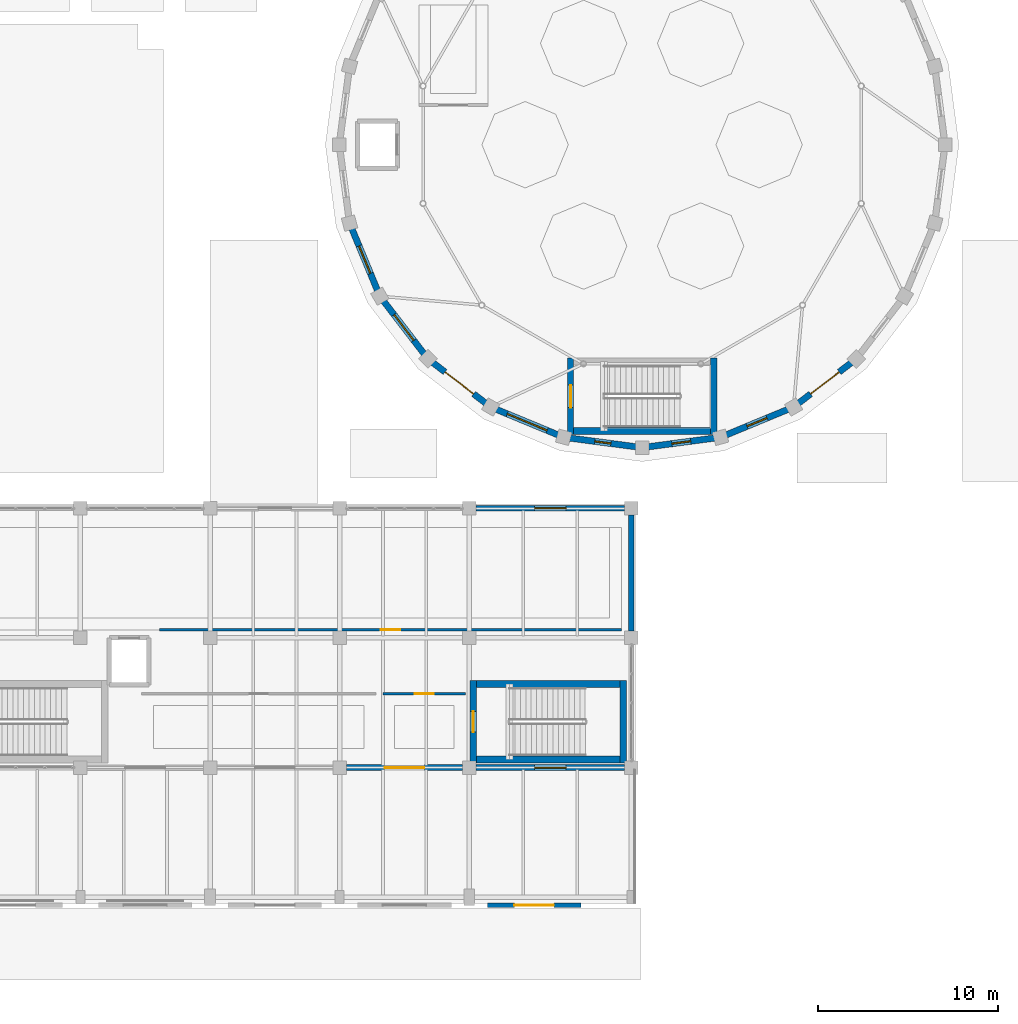
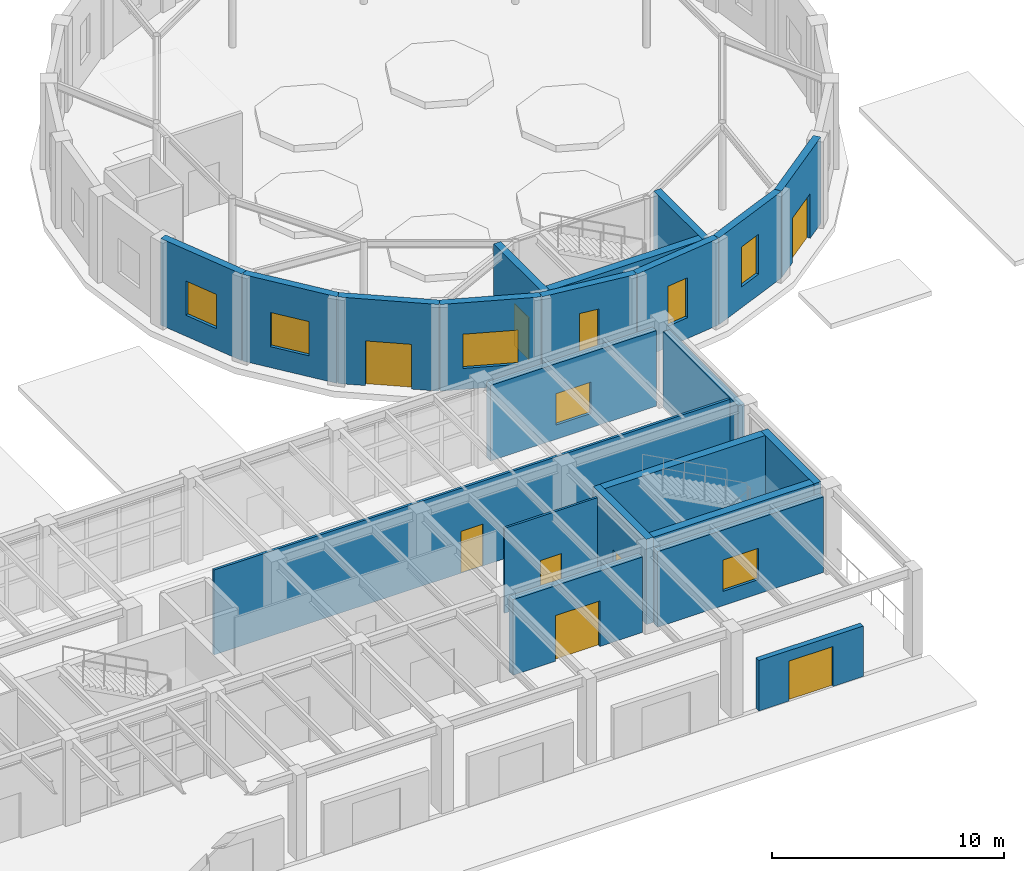
# One storey, part 27 of 39: 22 walls, 8 doors, 8 windows, 16 openings.
"""IFC4 building model written with IfcOpenShell, lengths in metres."""

from ifc_helpers import new_model, si_unit, direction, frame, frame_2d, origin, place, context, subcontext, project, spatial, rectangle, extrude, material, layer, layer_set, type_object, element, fill, save


model = new_model("IFC4")

# Units and contexts
model_context = context("Model", 3, precision=1e-05, world=origin(), true_north=direction((0.0, 1.0)))
body_context = subcontext(model_context, "Body", "Model", "MODEL_VIEW")
ifc_project = project(units=[si_unit("LENGTHUNIT", "METRE"), si_unit("AREAUNIT", "SQUARE_METRE"), si_unit("VOLUMEUNIT", "CUBIC_METRE"), si_unit("PLANEANGLEUNIT", "RADIAN"), si_unit("MASSUNIT", "GRAM", prefix="KILO")], contexts=[model_context])

# Site, building, storey
site_placement = place(None, origin())
site = spatial("IfcSite", under=ifc_project, at=site_placement, CompositionType="ELEMENT")
building_placement = place(site_placement, origin())
building = spatial("IfcBuilding", under=site, at=building_placement, Name="Kandorven Conservatory and Botanical Research Centre", CompositionType="ELEMENT")
storey_placement = place(building_placement, origin())
storey = spatial("IfcBuildingStorey", under=building, at=storey_placement, Name="L00", CompositionType="ELEMENT", Elevation=0.0)

# Walls
ifc_material_1 = material(Name="Concrete C40/50 (M50)", Category="concrete")
ifc_layer_1 = layer(ifc_material_1, 0.39990234375)
ifc_layer_set_1 = layer_set([ifc_layer_1], Name="Concrete C40/50 (M50)")
wall_type_1 = type_object("IfcWallType", Name="Wall_CW-RC-1", PredefinedType="SHEAR", material=ifc_layer_set_1)
for number, where, z_axis, x_axis, name in (
    (1, (78.39990234375, 13.64501953125, 0.0), (0.0, 0.0, 1.0), (1.0, 0.0, 0.0), "Core stair shear wall CW-RC-1 ST-V3B L00 side A"),
    (2, (78.39990234375, 17.844970703125, 0.0), (0.0, 0.0, 1.0), (1.0, 0.0, 0.0), "Core stair shear wall CW-RC-1 ST-V3B L00 side B"),
):
    element("IfcWall", number, at=place(storey_placement, frame(where, z_axis=z_axis, x_axis=x_axis)), inside=storey, type_object=wall_type_1, Name=name, PredefinedType="SHEAR", context=body_context, shape_type="SweptSolid", body=[
        extrude(rectangle(XDim=7.97998046875, YDim=0.39990234375, at=frame_2d((3.989990234375, 0.0))), origin(), (0.0, 0.0, 1.0), 4.47998046875),
    ])
wall_1_placement = place(storey_placement, frame((83.800048828125, 31.89501953125, 0.0), z_axis=(0.0, 0.0, 1.0), x_axis=(1.0, 0.0, 0.0)))
element("IfcWall", 3, at=wall_1_placement, inside=storey, type_object=wall_type_1, Name="Core stair shear wall CW-RC-1 ST-V1 L00 side A", PredefinedType="SHEAR", context=body_context, shape_type="SweptSolid", body=[
    extrude(rectangle(XDim=7.599853515625, YDim=0.39990234375, at=frame_2d((3.7998046875, 0.0))), origin(), (0.0, 0.0, 1.0), 4.47998046875),
])

# Wall, opening, door
ifc_material_2 = material(Name="Concrete C40/50 (M50)", Category="concrete")
ifc_layer_2 = layer(ifc_material_2, 0.35009765625)
ifc_layer_set_2 = layer_set([ifc_layer_2], Name="Concrete C40/50 (M50)")
wall_type_2 = type_object("IfcWallType", Name="Wall_CW-RC-2", PredefinedType="SHEAR", material=ifc_layer_set_2)
wall_2_placement = place(storey_placement, frame((78.22509765625, 13.449951171875, 0.0), z_axis=(0.0, 0.0, 1.0), x_axis=(0.0, 1.0, 0.0)))
wall_2 = element("IfcWall", 4, at=wall_2_placement, inside=storey, type_object=wall_type_2, Name="Core stair shear wall CW-RC-2 ST-V3B L00 entry", PredefinedType="SHEAR", context=body_context, shape_type="SweptSolid", body=[
    extrude(rectangle(XDim=4.590087890625, YDim=0.35009765625, at=frame_2d((2.294921875, 0.0))), origin(), (0.0, 0.0, 1.0), 4.47998046875),
])
opening_1_placement = place(wall_2_placement, frame((1.719970703125, 0.0, 0.0)))
opening_1 = element("IfcOpeningElement", 5, at=opening_1_placement, cuts=wall_2, Name="Opening FD-2", PredefinedType="OPENING", context=body_context, shape_type="SweptSolid", body=[
    extrude(rectangle(XDim=1.14990234375, YDim=2.199951171875, at=frame_2d((0.574951171875, 1.10009765625))), frame((0.0, 0.18505859375, 0.0), z_axis=(0.0, -1.0, 0.0), x_axis=(1.0, 0.0, 0.0)), (0.0, 0.0, 1.0), 0.3701171875),
])
ifc_material_3 = material(Name="Galvanised hollow steel fire door assembly", Category="steel")
door_type_1 = type_object("IfcDoorType", Name="Door_FD-2", OperationType="NOTDEFINED", PredefinedType="DOOR", material=ifc_material_3)
door_1_placement = place(opening_1_placement, origin())
door_1 = element("IfcDoor", 6, at=door_1_placement, inside=storey, type_object=door_type_1, Name="Exit stair fire door FD-2 ST-V3B L00", OperationType="SINGLE_SWING_LEFT", OverallHeight=2.199951171875, OverallWidth=1.14990234375, PredefinedType="DOOR", context=body_context, shape_type="SweptSolid", body=[
    extrude(rectangle(XDim=1.14990234375, YDim=2.199951171875, at=frame_2d((0.574951171875, 1.10009765625))), frame((0.0, 0.02490234375, 0.0), z_axis=(0.0, -1.0, 0.0), x_axis=(1.0, 0.0, 0.0)), (0.0, 0.0, 1.0), 0.050048828125),
])
fill(opening_1, door_1)

# Wall
wall_3_placement = place(storey_placement, frame((86.554931640625, 13.449951171875, 0.0), z_axis=(0.0, 0.0, 1.0), x_axis=(0.0, 1.0, 0.0)))
element("IfcWall", 7, at=wall_3_placement, inside=storey, type_object=wall_type_2, Name="Core stair shear wall CW-RC-2 ST-V3B L00 far", PredefinedType="SHEAR", context=body_context, shape_type="SweptSolid", body=[
    extrude(rectangle(XDim=4.590087890625, YDim=0.35009765625, at=frame_2d((2.294921875, 0.0))), origin(), (0.0, 0.0, 1.0), 4.47998046875),
])

# Wall, opening, door
wall_4_placement = place(storey_placement, frame((83.625, 31.699951171875, 0.0), z_axis=(0.0, 0.0, 1.0), x_axis=(0.0, 1.0, 0.0)))
wall_4 = element("IfcWall", 8, at=wall_4_placement, inside=storey, type_object=wall_type_2, Name="Core stair shear wall CW-RC-2 ST-V1 L00 entry", PredefinedType="SHEAR", context=body_context, shape_type="SweptSolid", body=[
    extrude(rectangle(XDim=4.25, YDim=0.35009765625, at=frame_2d((2.125, 0.0))), origin(), (0.0, 0.0, 1.0), 4.47998046875),
])
opening_2_placement = place(wall_4_placement, frame((1.5, 0.0, 0.0)))
opening_2 = element("IfcOpeningElement", 9, at=opening_2_placement, cuts=wall_4, Name="Opening FD-1", PredefinedType="OPENING", context=body_context, shape_type="SweptSolid", body=[
    extrude(rectangle(XDim=1.25, YDim=2.199951171875, at=frame_2d((0.625, 1.10009765625))), frame((0.0, 0.18505859375, 0.0), z_axis=(0.0, -1.0, 0.0), x_axis=(1.0, 0.0, 0.0)), (0.0, 0.0, 1.0), 0.3701171875),
])
ifc_material_4 = material(Name="Galvanised hollow steel fire door assembly", Category="steel")
door_type_2 = type_object("IfcDoorType", Name="Door_FD-1", OperationType="NOTDEFINED", PredefinedType="DOOR", material=ifc_material_4)
door_2_placement = place(opening_2_placement, origin())
door_2 = element("IfcDoor", 10, at=door_2_placement, inside=storey, type_object=door_type_2, Name="Exit stair fire door FD-1 ST-V1 L00", OperationType="SINGLE_SWING_RIGHT", OverallHeight=2.199951171875, OverallWidth=1.25, PredefinedType="DOOR", context=body_context, shape_type="SweptSolid", body=[
    extrude(rectangle(XDim=1.25, YDim=2.199951171875, at=frame_2d((0.625, 1.10009765625))), frame((0.0, 0.02490234375, 0.0), z_axis=(0.0, -1.0, 0.0), x_axis=(1.0, 0.0, 0.0)), (0.0, 0.0, 1.0), 0.050048828125),
])
fill(opening_2, door_2)

# Wall
wall_5_placement = place(storey_placement, frame((91.574951171875, 31.699951171875, 0.0), z_axis=(0.0, 0.0, 1.0), x_axis=(0.0, 1.0, 0.0)))
element("IfcWall", 11, at=wall_5_placement, inside=storey, type_object=wall_type_2, Name="Core stair shear wall CW-RC-2 ST-V1 L00 far", PredefinedType="SHEAR", context=body_context, shape_type="SweptSolid", body=[
    extrude(rectangle(XDim=4.25, YDim=0.35009765625, at=frame_2d((2.125, 0.0))), origin(), (0.0, 0.0, 1.0), 4.47998046875),
])

# Wall, opening, door
ifc_material_5 = material(Name="Concrete C32/40 (M40)", Category="concrete")
ifc_layer_3 = layer(ifc_material_5, 0.340087890625)
ifc_layer_set_3 = layer_set([ifc_layer_3], Name="Concrete C32/40 (M40)")
wall_type_3 = type_object("IfcWallType", Name="Wall_EW-02", PredefinedType="STANDARD", material=ifc_layer_set_3)
wall_6_placement = place(storey_placement, frame((71.175048828125, 13.199951171875, 0.0), z_axis=(0.0, 0.0, 1.0), x_axis=(1.0, 0.0, 0.0)))
wall_6 = element("IfcWall", 12, at=wall_6_placement, inside=storey, type_object=wall_type_3, Name="Visitor centre concrete wall EW-02 S L00", PredefinedType="STANDARD", context=body_context, shape_type="SweptSolid", body=[
    extrude(rectangle(XDim=6.449951171875, YDim=0.340087890625, at=frame_2d((3.22509765625, 0.0))), origin(), (0.0, 0.0, 1.0), 3.969970703125),
])
opening_3_placement = place(wall_6_placement, frame((2.125, 0.0, 0.0)))
opening_3 = element("IfcOpeningElement", 13, at=opening_3_placement, cuts=wall_6, Name="Opening ED-01", PredefinedType="OPENING", context=body_context, shape_type="SweptSolid", body=[
    extrude(rectangle(XDim=2.199951171875, YDim=2.39990234375, at=frame_2d((1.10009765625, 1.199951171875))), frame((0.0, 0.179931640625, 0.0), z_axis=(0.0, -1.0, 0.0), x_axis=(1.0, 0.0, 0.0)), (0.0, 0.0, 1.0), 0.360107421875),
])
ifc_material_6 = material(Name="Bronze anodised thermally broken aluminium", Category="aluminium")
door_type_3 = type_object("IfcDoorType", Name="Door_ED-01", OperationType="NOTDEFINED", PredefinedType="DOOR", material=ifc_material_6)
door_3_placement = place(opening_3_placement, frame((2.199951171875, 0.0, 0.0), z_axis=(0.0, 0.0, 1.0), x_axis=(-1.0, 0.0, 0.0)))
door_3 = element("IfcDoor", 14, at=door_3_placement, inside=storey, type_object=door_type_3, Name="Visitor centre final exit door ED-01", OperationType="DOUBLE_DOOR_SINGLE_SWING", OverallHeight=2.39990234375, OverallWidth=2.199951171875, PredefinedType="DOOR", context=body_context, shape_type="SweptSolid", body=[
    extrude(rectangle(XDim=2.199951171875, YDim=2.39990234375, at=frame_2d((1.10009765625, 1.199951171875))), frame((0.0, 0.02490234375, 0.0), z_axis=(0.0, -1.0, 0.0), x_axis=(1.0, 0.0, 0.0)), (0.0, 0.0, 1.0), 0.050048828125),
])
fill(opening_3, door_3)

# Wall, opening, window
ifc_material_7 = material(Name="Concrete C32/40 (M40)", Category="concrete")
ifc_layer_4 = layer(ifc_material_7, 0.320068359375)
ifc_layer_set_4 = layer_set([ifc_layer_4], Name="Concrete C32/40 (M40)")
wall_type_4 = type_object("IfcWallType", Name="Wall_EW-03", PredefinedType="STANDARD", material=ifc_layer_set_4)
wall_7_placement = place(storey_placement, frame((78.375, 13.199951171875, 0.0), z_axis=(0.0, 0.0, 1.0), x_axis=(1.0, 0.0, 0.0)))
wall_7 = element("IfcWall", 15, at=wall_7_placement, inside=storey, type_object=wall_type_4, Name="Visitor centre concrete wall EW-03 S L00", PredefinedType="STANDARD", context=body_context, shape_type="SweptSolid", body=[
    extrude(rectangle(XDim=8.25, YDim=0.320068359375, at=frame_2d((4.125, 0.0))), origin(), (0.0, 0.0, 1.0), 3.969970703125),
])
opening_4_placement = place(wall_7_placement, frame((3.25, 0.0, 0.75)))
opening_4 = element("IfcOpeningElement", 16, at=opening_4_placement, cuts=wall_7, Name="Opening W-28", PredefinedType="OPENING", context=body_context, shape_type="SweptSolid", body=[
    extrude(rectangle(XDim=1.75, YDim=1.64990234375, at=frame_2d((0.875, 0.824951171875))), frame((0.0, 0.169921875, 0.0), z_axis=(0.0, -1.0, 0.0), x_axis=(1.0, 0.0, 0.0)), (0.0, 0.0, 1.0), 0.340087890625),
])
ifc_material_8 = material(Name="Double-glazed solar-control low-E glass", Category="glass")
window_type_1 = type_object("IfcWindowType", Name="Win_W-28", PartitioningType="DOUBLE_PANEL_VERTICAL", PredefinedType="WINDOW", material=ifc_material_8)
window_1_placement = place(opening_4_placement, origin())
window_1 = element("IfcWindow", 17, at=window_1_placement, inside=storey, type_object=window_type_1, Name="Visitor wing deep-reveal window W-28", OverallHeight=1.64990234375, OverallWidth=1.75, PartitioningType="SINGLE_PANEL", PredefinedType="WINDOW", context=body_context, shape_type="SweptSolid", body=[
    extrude(rectangle(XDim=1.75, YDim=1.64990234375, at=frame_2d((0.875, 0.824951171875))), frame((0.0, 0.030029296875, 0.0), z_axis=(0.0, -1.0, 0.0), x_axis=(1.0, 0.0, 0.0)), (0.0, 0.0, 1.0), 0.06005859375),
])
fill(opening_4, window_1)

wall_8_placement = place(storey_placement, frame((78.375, 27.60009765625, 0.0), z_axis=(0.0, 0.0, 1.0), x_axis=(1.0, 0.0, 0.0)))
wall_8 = element("IfcWall", 18, at=wall_8_placement, inside=storey, type_object=wall_type_4, Name="Visitor centre concrete wall EW-03 N L00", PredefinedType="STANDARD", context=body_context, shape_type="SweptSolid", body=[
    extrude(rectangle(XDim=8.25, YDim=0.320068359375, at=frame_2d((4.125, 0.0))), origin(), (0.0, 0.0, 1.0), 3.969970703125),
])
opening_5_placement = place(wall_8_placement, frame((3.25, 0.0, 0.75)))
opening_5 = element("IfcOpeningElement", 19, at=opening_5_placement, cuts=wall_8, Name="Opening W-28", PredefinedType="OPENING", context=body_context, shape_type="SweptSolid", body=[
    extrude(rectangle(XDim=1.75, YDim=1.64990234375, at=frame_2d((0.875, 0.824951171875))), frame((0.0, 0.169921875, 0.0), z_axis=(0.0, -1.0, 0.0), x_axis=(1.0, 0.0, 0.0)), (0.0, 0.0, 1.0), 0.340087890625),
])
window_2_placement = place(opening_5_placement, origin())
window_2 = element("IfcWindow", 20, at=window_2_placement, inside=storey, type_object=window_type_1, Name="Visitor wing deep-reveal window W-28", OverallHeight=1.64990234375, OverallWidth=1.75, PartitioningType="SINGLE_PANEL", PredefinedType="WINDOW", context=body_context, shape_type="SweptSolid", body=[
    extrude(rectangle(XDim=1.75, YDim=1.64990234375, at=frame_2d((0.875, 0.824951171875))), frame((0.0, 0.030029296875, 0.0), z_axis=(0.0, -1.0, 0.0), x_axis=(1.0, 0.0, 0.0)), (0.0, 0.0, 1.0), 0.06005859375),
])
fill(opening_5, window_2)

# Wall
wall_9_placement = place(storey_placement, frame((87.0, 20.77490234375, 0.0), z_axis=(0.0, 0.0, 1.0), x_axis=(0.0, 1.0, 0.0)))
element("IfcWall", 21, at=wall_9_placement, inside=storey, type_object=wall_type_4, Name="Visitor wing east end wall EW-03 L00", PredefinedType="STANDARD", context=body_context, shape_type="SweptSolid", body=[
    extrude(rectangle(XDim=6.4501953125, YDim=0.320068359375, at=frame_2d((3.22509765625, 0.0))), origin(), (0.0, 0.0, 1.0), 3.969970703125),
])

# Wall, opening, door
ifc_material_9 = material(Name="Concrete C32/40 (M40)", Category="concrete")
ifc_layer_5 = layer(ifc_material_9, 0.260009765625)
ifc_layer_set_5 = layer_set([ifc_layer_5], Name="Concrete C32/40 (M40)")
wall_type_5 = type_object("IfcWallType", Name="Wall_EW-06", PredefinedType="STANDARD", material=ifc_layer_set_5)
wall_10_placement = place(storey_placement, frame((79.0, 5.550048828125, 0.0), z_axis=(0.0, 0.0, 1.0), x_axis=(1.0, 0.0, 0.0)))
wall_10 = element("IfcWall", 22, at=wall_10_placement, inside=storey, type_object=wall_type_5, Name="Botanical courtyard northern garden screen wall 6", PredefinedType="STANDARD", context=body_context, shape_type="SweptSolid", body=[
    extrude(rectangle(XDim=5.199951171875, YDim=0.260009765625, at=frame_2d((2.60009765625, 0.0))), origin(), (0.0, 0.0, 1.0), 2.64990234375),
])
opening_6_placement = place(wall_10_placement, frame((1.5, 0.0, 0.0)))
opening_6 = element("IfcOpeningElement", 23, at=opening_6_placement, cuts=wall_10, Name="Opening GD-02", PredefinedType="OPENING", context=body_context, shape_type="SweptSolid", body=[
    extrude(rectangle(XDim=2.199951171875, YDim=2.10009765625, at=frame_2d((1.10009765625, 1.050048828125))), frame((0.0, 0.139892578125, 0.0), z_axis=(0.0, -1.0, 0.0), x_axis=(1.0, 0.0, 0.0)), (0.0, 0.0, 1.0), 0.280029296875),
])
ifc_material_10 = material(Name="Bronze anodised thermally broken aluminium", Category="aluminium")
door_type_4 = type_object("IfcDoorType", Name="Door_GD-02", OperationType="NOTDEFINED", PredefinedType="GATE", material=ifc_material_10)
door_4_placement = place(opening_6_placement, origin())
door_4 = element("IfcDoor", 24, at=door_4_placement, inside=storey, type_object=door_type_4, Name="Botanical courtyard pedestrian garden gate GD-02 #6", OperationType="DOUBLE_DOOR_SINGLE_SWING", OverallHeight=2.10009765625, OverallWidth=2.199951171875, PredefinedType="GATE", context=body_context, shape_type="SweptSolid", body=[
    extrude(rectangle(XDim=2.199951171875, YDim=2.10009765625, at=frame_2d((1.10009765625, 1.050048828125))), frame((0.0, 0.02490234375, 0.0), z_axis=(0.0, -1.0, 0.0), x_axis=(1.0, 0.0, 0.0)), (0.0, 0.0, 1.0), 0.050048828125),
])
fill(opening_6, door_4)

# Wall, opening, window
ifc_material_11 = material(Name="Concrete C40/50 (M50)", Category="concrete")
ifc_layer_6 = layer(ifc_material_11, 0.35009765625)
ifc_layer_set_6 = layer_set([ifc_layer_6], Name="Concrete C40/50 (M50)")
wall_type_6 = type_object("IfcWallType", Name="Wall_EW-DR-01", PredefinedType="STANDARD", material=ifc_layer_set_6)
wall_11_placement = place(storey_placement, frame((71.348388671875, 43.4453125, 0.0), z_axis=(0.0, 0.0, 1.0), x_axis=(0.382652895287, -0.923892180792, 0.0)))
wall_11 = element("IfcWall", 25, at=wall_11_placement, inside=storey, type_object=wall_type_6, Name="Conservatory board-marked concrete drum wall S14", PredefinedType="STANDARD", context=body_context, shape_type="SweptSolid", body=[
    extrude(rectangle(XDim=4.39208984375, YDim=0.35009765625, at=frame_2d((2.196044921875, 0.0))), origin(), (0.0, 0.0, 1.0), 4.550048828125),
])
opening_7_placement = place(wall_11_placement, frame((1.37109375, 0.0, 1.10009765625)))
opening_7 = element("IfcOpeningElement", 26, at=opening_7_placement, cuts=wall_11, Name="Opening W-04", PredefinedType="OPENING", context=body_context, shape_type="SweptSolid", body=[
    extrude(rectangle(XDim=1.64990234375, YDim=1.800048828125, at=frame_2d((0.824951171875, 0.89990234375))), frame((0.0, 0.18505859375, 0.0), z_axis=(0.0, -1.0, 0.0), x_axis=(1.0, 0.0, 0.0)), (0.0, 0.0, 1.0), 0.3701171875),
])
ifc_material_12 = material(Name="Double-glazed solar-control low-E glass", Category="glass")
window_type_2 = type_object("IfcWindowType", Name="Win_W-04", PartitioningType="DOUBLE_PANEL_VERTICAL", PredefinedType="WINDOW", material=ifc_material_12)
window_3_placement = place(opening_7_placement, origin())
window_3 = element("IfcWindow", 27, at=window_3_placement, inside=storey, type_object=window_type_2, Name="Conservatory splayed drum window W-04", OverallHeight=1.800048828125, OverallWidth=1.64990234375, PartitioningType="SINGLE_PANEL", PredefinedType="WINDOW", context=body_context, shape_type="SweptSolid", body=[
    extrude(rectangle(XDim=1.64990234375, YDim=1.800048828125, at=frame_2d((0.824951171875, 0.89990234375))), frame((0.0, 0.030029296875, 0.0), z_axis=(0.0, -1.0, 0.0), x_axis=(1.0, 0.0, 0.0)), (0.0, 0.0, 1.0), 0.06005859375),
])
fill(opening_7, window_3)

wall_12_placement = place(storey_placement, frame((73.029052734375, 39.387451171875, 0.0), z_axis=(0.0, 0.0, 1.0), x_axis=(0.608759396381, -0.793354899977, 0.0)))
wall_12 = element("IfcWall", 28, at=wall_12_placement, inside=storey, type_object=wall_type_6, Name="Conservatory board-marked concrete drum wall S15", PredefinedType="STANDARD", context=body_context, shape_type="SweptSolid", body=[
    extrude(rectangle(XDim=4.392333984375, YDim=0.35009765625, at=frame_2d((2.1962890625, 0.0))), origin(), (0.0, 0.0, 1.0), 4.550048828125),
])
opening_8_placement = place(wall_12_placement, frame((1.296142578125, 0.0, 1.10009765625)))
opening_8 = element("IfcOpeningElement", 29, at=opening_8_placement, cuts=wall_12, Name="Opening W-05", PredefinedType="OPENING", context=body_context, shape_type="SweptSolid", body=[
    extrude(rectangle(XDim=1.800048828125, YDim=1.800048828125, at=frame_2d((0.89990234375, 0.89990234375))), frame((0.0, 0.18505859375, 0.0), z_axis=(0.0, -1.0, 0.0), x_axis=(1.0, 0.0, 0.0)), (0.0, 0.0, 1.0), 0.3701171875),
])
ifc_material_13 = material(Name="Double-glazed solar-control low-E glass", Category="glass")
window_type_3 = type_object("IfcWindowType", Name="Win_W-05", PartitioningType="DOUBLE_PANEL_VERTICAL", PredefinedType="WINDOW", material=ifc_material_13)
window_4_placement = place(opening_8_placement, origin())
window_4 = element("IfcWindow", 30, at=window_4_placement, inside=storey, type_object=window_type_3, Name="Conservatory splayed drum window W-05", OverallHeight=1.800048828125, OverallWidth=1.800048828125, PartitioningType="SINGLE_PANEL", PredefinedType="WINDOW", context=body_context, shape_type="SweptSolid", body=[
    extrude(rectangle(XDim=1.800048828125, YDim=1.800048828125, at=frame_2d((0.89990234375, 0.89990234375))), frame((0.0, 0.030029296875, 0.0), z_axis=(0.0, -1.0, 0.0), x_axis=(1.0, 0.0, 0.0)), (0.0, 0.0, 1.0), 0.06005859375),
])
fill(opening_8, window_4)

# Wall, opening, door
wall_13_placement = place(storey_placement, frame((75.702880859375, 35.90283203125, 0.0), z_axis=(0.0, 0.0, 1.0), x_axis=(0.793354899977, -0.608759396381, 0.0)))
wall_13 = element("IfcWall", 31, at=wall_13_placement, inside=storey, type_object=wall_type_6, Name="Conservatory board-marked concrete drum wall S16", PredefinedType="STANDARD", context=body_context, shape_type="SweptSolid", body=[
    extrude(rectangle(XDim=4.392333984375, YDim=0.35009765625, at=frame_2d((2.1962890625, 0.0))), origin(), (0.0, 0.0, 1.0), 4.550048828125),
])
opening_9_placement = place(wall_13_placement, frame((1.196044921875, 0.0, 0.0)))
opening_9 = element("IfcOpeningElement", 32, at=opening_9_placement, cuts=wall_13, Name="Opening ED-03", PredefinedType="OPENING", context=body_context, shape_type="SweptSolid", body=[
    extrude(rectangle(XDim=2.0, YDim=2.35009765625, at=frame_2d((1.0, 1.175048828125))), frame((0.0, 0.18505859375, 0.0), z_axis=(0.0, -1.0, 0.0), x_axis=(1.0, 0.0, 0.0)), (0.0, 0.0, 1.0), 0.3701171875),
])
ifc_material_14 = material(Name="Bronze anodised thermally broken aluminium", Category="aluminium")
door_type_5 = type_object("IfcDoorType", Name="Door_ED-03", OperationType="NOTDEFINED", PredefinedType="DOOR", material=ifc_material_14)
door_5_placement = place(opening_9_placement, frame((2.0, 0.0, 0.0), z_axis=(0.0, 0.0, 1.0), x_axis=(-1.0, 0.0, 0.0)))
door_5 = element("IfcDoor", 33, at=door_5_placement, inside=storey, type_object=door_type_5, Name="Conservatory final exit double door ED-03", OperationType="DOUBLE_DOOR_SINGLE_SWING", OverallHeight=2.35009765625, OverallWidth=2.0, PredefinedType="DOOR", context=body_context, shape_type="SweptSolid", body=[
    extrude(rectangle(XDim=2.0, YDim=2.35009765625, at=frame_2d((1.0, 1.175048828125))), frame((0.0, 0.02490234375, 0.0), z_axis=(0.0, -1.0, 0.0), x_axis=(1.0, 0.0, 0.0)), (0.0, 0.0, 1.0), 0.050048828125),
])
fill(opening_9, door_5)

# Wall, opening, window
wall_14_placement = place(storey_placement, frame((79.1875, 33.22900390625, 0.0), z_axis=(0.0, 0.0, 1.0), x_axis=(0.923892180792, -0.382652895287, 0.0)))
wall_14 = element("IfcWall", 34, at=wall_14_placement, inside=storey, type_object=wall_type_6, Name="Conservatory board-marked concrete drum wall S17", PredefinedType="STANDARD", context=body_context, shape_type="SweptSolid", body=[
    extrude(rectangle(XDim=4.39208984375, YDim=0.35009765625, at=frame_2d((2.196044921875, 0.0))), origin(), (0.0, 0.0, 1.0), 4.550048828125),
])
opening_10_placement = place(wall_14_placement, frame((0.99609375, 0.0, 1.10009765625)))
opening_10 = element("IfcOpeningElement", 35, at=opening_10_placement, cuts=wall_14, Name="Opening W-07", PredefinedType="OPENING", context=body_context, shape_type="SweptSolid", body=[
    extrude(rectangle(XDim=2.39990234375, YDim=1.800048828125, at=frame_2d((1.199951171875, 0.89990234375))), frame((0.0, 0.18505859375, 0.0), z_axis=(0.0, -1.0, 0.0), x_axis=(1.0, 0.0, 0.0)), (0.0, 0.0, 1.0), 0.3701171875),
])
ifc_material_15 = material(Name="Double-glazed solar-control low-E glass", Category="glass")
window_type_4 = type_object("IfcWindowType", Name="Win_W-07", PartitioningType="DOUBLE_PANEL_VERTICAL", PredefinedType="WINDOW", material=ifc_material_15)
window_5_placement = place(opening_10_placement, origin())
window_5 = element("IfcWindow", 36, at=window_5_placement, inside=storey, type_object=window_type_4, Name="Conservatory splayed drum window W-07", OverallHeight=1.800048828125, OverallWidth=2.39990234375, PartitioningType="SINGLE_PANEL", PredefinedType="WINDOW", context=body_context, shape_type="SweptSolid", body=[
    extrude(rectangle(XDim=2.39990234375, YDim=1.800048828125, at=frame_2d((1.199951171875, 0.89990234375))), frame((0.0, 0.030029296875, 0.0), z_axis=(0.0, -1.0, 0.0), x_axis=(1.0, 0.0, 0.0)), (0.0, 0.0, 1.0), 0.06005859375),
])
fill(opening_10, window_5)

wall_15_placement = place(storey_placement, frame((83.245361328125, 31.54833984375, 0.0), z_axis=(0.0, 0.0, 1.0), x_axis=(0.991446915586, -0.13051058798, 0.0)))
wall_15 = element("IfcWall", 37, at=wall_15_placement, inside=storey, type_object=wall_type_6, Name="Conservatory board-marked concrete drum wall S18", PredefinedType="STANDARD", context=body_context, shape_type="SweptSolid", body=[
    extrude(rectangle(XDim=4.392333984375, YDim=0.35009765625, at=frame_2d((2.1962890625, 0.0))), origin(), (0.0, 0.0, 1.0), 4.550048828125),
])
opening_11_placement = place(wall_15_placement, frame((1.74609375, 0.0, 1.10009765625)))
opening_11 = element("IfcOpeningElement", 38, at=opening_11_placement, cuts=wall_15, Name="Opening W-08", PredefinedType="OPENING", context=body_context, shape_type="SweptSolid", body=[
    extrude(rectangle(XDim=0.89990234375, YDim=2.10009765625, at=frame_2d((0.449951171875, 1.050048828125))), frame((0.0, 0.18505859375, 0.0), z_axis=(0.0, -1.0, 0.0), x_axis=(1.0, 0.0, 0.0)), (0.0, 0.0, 1.0), 0.3701171875),
])
ifc_material_16 = material(Name="Double-glazed solar-control low-E glass", Category="glass")
window_type_5 = type_object("IfcWindowType", Name="Win_W-08", PartitioningType="DOUBLE_PANEL_VERTICAL", PredefinedType="WINDOW", material=ifc_material_16)
window_6_placement = place(opening_11_placement, origin())
window_6 = element("IfcWindow", 39, at=window_6_placement, inside=storey, type_object=window_type_5, Name="Conservatory splayed drum window W-08", OverallHeight=2.10009765625, OverallWidth=0.89990234375, PartitioningType="SINGLE_PANEL", PredefinedType="WINDOW", context=body_context, shape_type="SweptSolid", body=[
    extrude(rectangle(XDim=0.89990234375, YDim=2.10009765625, at=frame_2d((0.449951171875, 1.050048828125))), frame((0.0, 0.030029296875, 0.0), z_axis=(0.0, -1.0, 0.0), x_axis=(1.0, 0.0, 0.0)), (0.0, 0.0, 1.0), 0.06005859375),
])
fill(opening_11, window_6)

wall_16_placement = place(storey_placement, frame((87.60009765625, 30.97509765625, 0.0), z_axis=(0.0, 0.0, 1.0), x_axis=(0.991445968749, 0.130517780591, 0.0)))
wall_16 = element("IfcWall", 40, at=wall_16_placement, inside=storey, type_object=wall_type_6, Name="Conservatory board-marked concrete drum wall S19", PredefinedType="STANDARD", context=body_context, shape_type="SweptSolid", body=[
    extrude(rectangle(XDim=4.39208984375, YDim=0.35009765625, at=frame_2d((2.196044921875, 0.0))), origin(), (0.0, 0.0, 1.0), 4.550048828125),
])
opening_12_placement = place(wall_16_placement, frame((1.671142578125, 0.0, 1.10009765625)))
opening_12 = element("IfcOpeningElement", 41, at=opening_12_placement, cuts=wall_16, Name="Opening W-09", PredefinedType="OPENING", context=body_context, shape_type="SweptSolid", body=[
    extrude(rectangle(XDim=1.050048828125, YDim=2.10009765625, at=frame_2d((0.52490234375, 1.050048828125))), frame((0.0, 0.18505859375, 0.0), z_axis=(0.0, -1.0, 0.0), x_axis=(1.0, 0.0, 0.0)), (0.0, 0.0, 1.0), 0.3701171875),
])
ifc_material_17 = material(Name="Double-glazed solar-control low-E glass", Category="glass")
window_type_6 = type_object("IfcWindowType", Name="Win_W-09", PartitioningType="DOUBLE_PANEL_VERTICAL", PredefinedType="WINDOW", material=ifc_material_17)
window_7_placement = place(opening_12_placement, origin())
window_7 = element("IfcWindow", 42, at=window_7_placement, inside=storey, type_object=window_type_6, Name="Conservatory splayed drum window W-09", OverallHeight=2.10009765625, OverallWidth=1.050048828125, PartitioningType="SINGLE_PANEL", PredefinedType="WINDOW", context=body_context, shape_type="SweptSolid", body=[
    extrude(rectangle(XDim=1.050048828125, YDim=2.10009765625, at=frame_2d((0.52490234375, 1.050048828125))), frame((0.0, 0.030029296875, 0.0), z_axis=(0.0, -1.0, 0.0), x_axis=(1.0, 0.0, 0.0)), (0.0, 0.0, 1.0), 0.06005859375),
])
fill(opening_12, window_7)

wall_17_placement = place(storey_placement, frame((91.95458984375, 31.54833984375, 0.0), z_axis=(0.0, 0.0, 1.0), x_axis=(0.923892180792, 0.382652895287, 0.0)))
wall_17 = element("IfcWall", 43, at=wall_17_placement, inside=storey, type_object=wall_type_6, Name="Conservatory board-marked concrete drum wall S20", PredefinedType="STANDARD", context=body_context, shape_type="SweptSolid", body=[
    extrude(rectangle(XDim=4.39208984375, YDim=0.35009765625, at=frame_2d((2.196044921875, 0.0))), origin(), (0.0, 0.0, 1.0), 4.550048828125),
])
opening_13_placement = place(wall_17_placement, frame((1.59619140625, 0.0, 1.10009765625)))
opening_13 = element("IfcOpeningElement", 44, at=opening_13_placement, cuts=wall_17, Name="Opening W-10", PredefinedType="OPENING", context=body_context, shape_type="SweptSolid", body=[
    extrude(rectangle(XDim=1.199951171875, YDim=2.10009765625, at=frame_2d((0.60009765625, 1.050048828125))), frame((0.0, 0.18505859375, 0.0), z_axis=(0.0, -1.0, 0.0), x_axis=(1.0, 0.0, 0.0)), (0.0, 0.0, 1.0), 0.3701171875),
])
ifc_material_18 = material(Name="Double-glazed solar-control low-E glass", Category="glass")
window_type_7 = type_object("IfcWindowType", Name="Win_W-10", PartitioningType="DOUBLE_PANEL_VERTICAL", PredefinedType="WINDOW", material=ifc_material_18)
window_8_placement = place(opening_13_placement, origin())
window_8 = element("IfcWindow", 45, at=window_8_placement, inside=storey, type_object=window_type_7, Name="Conservatory splayed drum window W-10", OverallHeight=2.10009765625, OverallWidth=1.199951171875, PartitioningType="SINGLE_PANEL", PredefinedType="WINDOW", context=body_context, shape_type="SweptSolid", body=[
    extrude(rectangle(XDim=1.199951171875, YDim=2.10009765625, at=frame_2d((0.60009765625, 1.050048828125))), frame((0.0, 0.030029296875, 0.0), z_axis=(0.0, -1.0, 0.0), x_axis=(1.0, 0.0, 0.0)), (0.0, 0.0, 1.0), 0.06005859375),
])
fill(opening_13, window_8)

# Wall, opening, door
wall_18_placement = place(storey_placement, frame((96.012451171875, 33.22900390625, 0.0), z_axis=(0.0, 0.0, 1.0), x_axis=(0.793354899977, 0.608759396381, 0.0)))
wall_18 = element("IfcWall", 46, at=wall_18_placement, inside=storey, type_object=wall_type_6, Name="Conservatory board-marked concrete drum wall S21", PredefinedType="STANDARD", context=body_context, shape_type="SweptSolid", body=[
    extrude(rectangle(XDim=4.392333984375, YDim=0.35009765625, at=frame_2d((2.1962890625, 0.0))), origin(), (0.0, 0.0, 1.0), 4.550048828125),
])
opening_14_placement = place(wall_18_placement, frame((1.196044921875, 0.0, 0.0)))
opening_14 = element("IfcOpeningElement", 47, at=opening_14_placement, cuts=wall_18, Name="Opening ED-03", PredefinedType="OPENING", context=body_context, shape_type="SweptSolid", body=[
    extrude(rectangle(XDim=2.0, YDim=2.35009765625, at=frame_2d((1.0, 1.175048828125))), frame((0.0, 0.18505859375, 0.0), z_axis=(0.0, -1.0, 0.0), x_axis=(1.0, 0.0, 0.0)), (0.0, 0.0, 1.0), 0.3701171875),
])
door_6_placement = place(opening_14_placement, frame((2.0, 0.0, 0.0), z_axis=(0.0, 0.0, 1.0), x_axis=(-1.0, 0.0, 0.0)))
door_6 = element("IfcDoor", 48, at=door_6_placement, inside=storey, type_object=door_type_5, Name="Conservatory final exit double door ED-03", OperationType="DOUBLE_DOOR_SINGLE_SWING", OverallHeight=2.35009765625, OverallWidth=2.0, PredefinedType="DOOR", context=body_context, shape_type="SweptSolid", body=[
    extrude(rectangle(XDim=2.0, YDim=2.35009765625, at=frame_2d((1.0, 1.175048828125))), frame((0.0, 0.02490234375, 0.0), z_axis=(0.0, -1.0, 0.0), x_axis=(1.0, 0.0, 0.0)), (0.0, 0.0, 1.0), 0.050048828125),
])
fill(opening_14, door_6)

ifc_material_19 = material(Name="Fire-rated acoustic gypsum board partition", Category="gypsum")
ifc_layer_7 = layer(ifc_material_19, 0.114013671875)
ifc_layer_set_7 = layer_set([ifc_layer_7], Name="Fire-rated acoustic gypsum board partition")
wall_type_7 = type_object("IfcWallType", Name="Wall_IW-12", PredefinedType="PARTITIONING", material=ifc_layer_set_7)
wall_19_placement = place(storey_placement, frame((73.199951171875, 17.300048828125, 0.0), z_axis=(0.0, 0.0, 1.0), x_axis=(1.0, 0.0, 0.0)))
wall_19 = element("IfcWall", 49, at=wall_19_placement, inside=storey, type_object=wall_type_7, Name="Interior partition wall IW-12 (Botanical Courtyard Cafe)", PredefinedType="PARTITIONING", context=body_context, shape_type="SweptSolid", body=[
    extrude(rectangle(XDim=4.60009765625, YDim=0.114013671875, at=frame_2d((2.300048828125, 0.0))), origin(), (0.0, 0.0, 1.0), 4.4599609375),
])
opening_15_placement = place(wall_19_placement, frame((1.77490234375, 0.0, 0.0)))
opening_15 = element("IfcOpeningElement", 50, at=opening_15_placement, cuts=wall_19, Name="Opening D-03", PredefinedType="OPENING", context=body_context, shape_type="SweptSolid", body=[
    extrude(rectangle(XDim=1.050048828125, YDim=2.14990234375, at=frame_2d((0.52490234375, 1.074951171875))), frame((0.0, 0.06689453125, 0.0), z_axis=(0.0, -1.0, 0.0), x_axis=(1.0, 0.0, 0.0)), (0.0, 0.0, 1.0), 0.134033203125),
])
ifc_material_20 = material(Name="Solid core acoustic teak-veneered timber leaf", Category="wood")
door_type_6 = type_object("IfcDoorType", Name="Door_D-03", OperationType="NOTDEFINED", PredefinedType="DOOR", material=ifc_material_20)
door_7_placement = place(opening_15_placement, frame((1.050048828125, 0.0, 0.0), z_axis=(0.0, 0.0, 1.0), x_axis=(-1.0, 0.0, 0.0)))
door_7 = element("IfcDoor", 51, at=door_7_placement, inside=storey, type_object=door_type_6, Name="Interior door D-03 to Botanical Courtyard Cafe", OperationType="SINGLE_SWING_LEFT", OverallHeight=2.14990234375, OverallWidth=1.050048828125, PredefinedType="DOOR", context=body_context, shape_type="SweptSolid", body=[
    extrude(rectangle(XDim=1.050048828125, YDim=2.14990234375, at=frame_2d((0.52490234375, 1.074951171875))), frame((0.0, 0.02490234375, 0.0), z_axis=(0.0, -1.0, 0.0), x_axis=(1.0, 0.0, 0.0)), (0.0, 0.0, 1.0), 0.050048828125),
])
fill(opening_15, door_7)

ifc_material_21 = material(Name="Fire-rated acoustic gypsum board partition", Category="gypsum")
ifc_layer_8 = layer(ifc_material_21, 0.1259765625)
ifc_layer_set_8 = layer_set([ifc_layer_8], Name="Fire-rated acoustic gypsum board partition")
wall_type_8 = type_object("IfcWallType", Name="Wall_IW-13", PredefinedType="PARTITIONING", material=ifc_layer_set_8)
wall_20_placement = place(storey_placement, frame((60.800048828125, 20.85009765625, 0.0), z_axis=(0.0, 0.0, 1.0), x_axis=(1.0, 0.0, 0.0)))
wall_20 = element("IfcWall", 52, at=wall_20_placement, inside=storey, type_object=wall_type_8, Name="Interior partition wall IW-13 (Park Orientation Exhibition Gallery)", PredefinedType="PARTITIONING", context=body_context, shape_type="SweptSolid", body=[
    extrude(rectangle(XDim=25.64990234375, YDim=0.1259765625, at=frame_2d((12.824951171875, 0.0))), origin(), (0.0, 0.0, 1.0), 4.4599609375),
])
opening_16_placement = place(wall_20_placement, frame((12.27490234375, 0.0, 0.0)))
opening_16 = element("IfcOpeningElement", 53, at=opening_16_placement, cuts=wall_20, Name="Opening D-04", PredefinedType="OPENING", context=body_context, shape_type="SweptSolid", body=[
    extrude(rectangle(XDim=1.10009765625, YDim=2.199951171875, at=frame_2d((0.550048828125, 1.10009765625))), frame((0.0, 0.072998046875, 0.0), z_axis=(0.0, -1.0, 0.0), x_axis=(1.0, 0.0, 0.0)), (0.0, 0.0, 1.0), 0.14599609375),
])
ifc_material_22 = material(Name="Solid core acoustic teak-veneered timber leaf", Category="wood")
door_type_7 = type_object("IfcDoorType", Name="Door_D-04", OperationType="NOTDEFINED", PredefinedType="DOOR", material=ifc_material_22)
door_8_placement = place(opening_16_placement, origin())
door_8 = element("IfcDoor", 54, at=door_8_placement, inside=storey, type_object=door_type_7, Name="Interior door D-04 to Park Orientation Exhibition Gallery", OperationType="SINGLE_SWING_RIGHT", OverallHeight=2.199951171875, OverallWidth=1.10009765625, PredefinedType="DOOR", context=body_context, shape_type="SweptSolid", body=[
    extrude(rectangle(XDim=1.10009765625, YDim=2.199951171875, at=frame_2d((0.550048828125, 1.10009765625))), frame((0.0, 0.02490234375, 0.0), z_axis=(0.0, -1.0, 0.0), x_axis=(1.0, 0.0, 0.0)), (0.0, 0.0, 1.0), 0.050048828125),
])
fill(opening_16, door_8)

save(model, "model.ifc")
